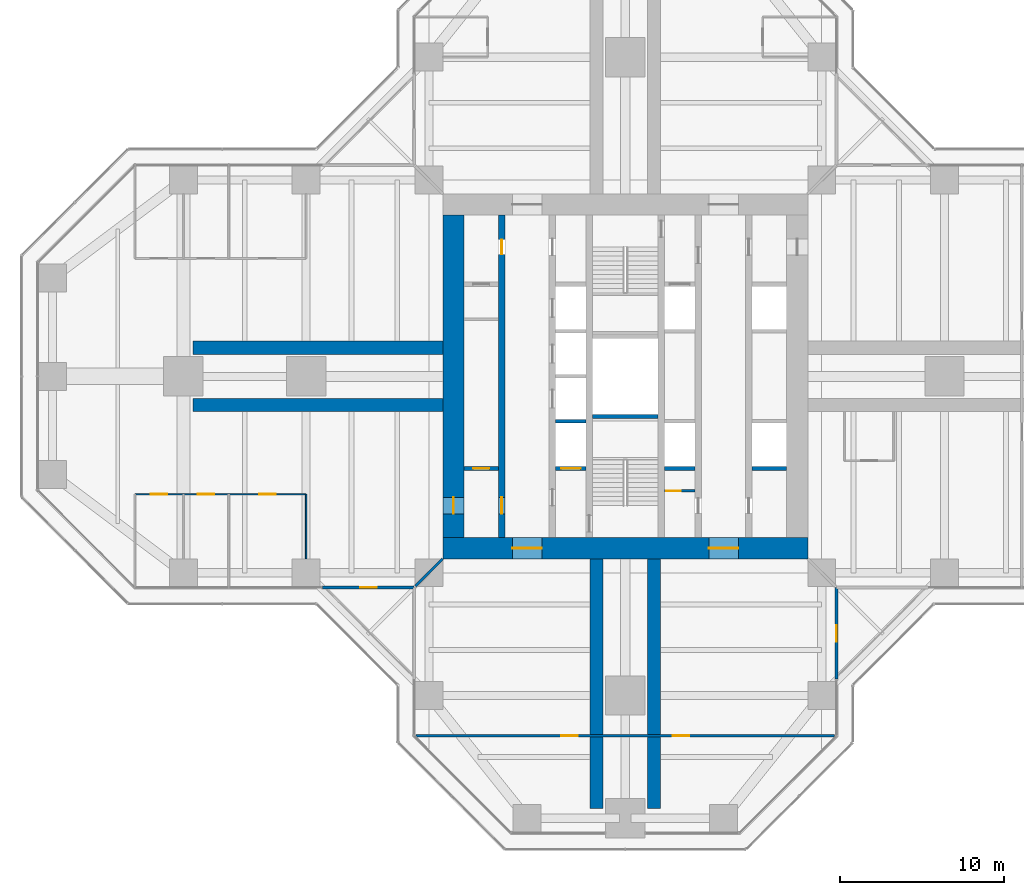
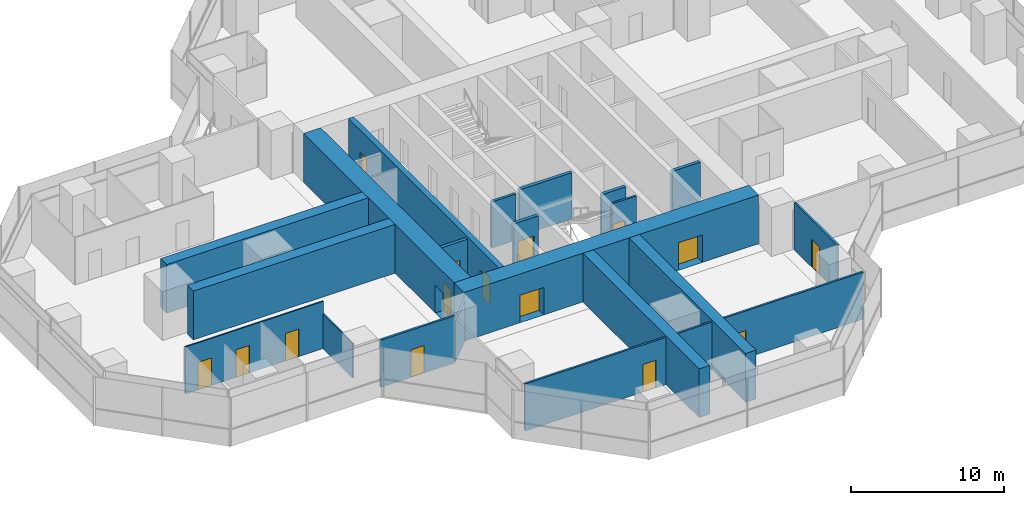
# One storey, part 15 of 20: 20 walls, 15 doors, 15 openings.
"""IFC4 building model written with IfcOpenShell, lengths in metres."""

from ifc_helpers import new_model, si_unit, direction, frame, frame_2d, origin, place, context, subcontext, project, spatial, rectangle, extrude, material, layer, layer_set, type_object, element, fill, save


model = new_model("IFC4")

# Units and contexts
model_context = context("Model", 3, precision=1e-05, world=origin(), true_north=direction((0.0, 1.0)))
body_context = subcontext(model_context, "Body", "Model", "MODEL_VIEW")
ifc_project = project(units=[si_unit("LENGTHUNIT", "METRE"), si_unit("AREAUNIT", "SQUARE_METRE"), si_unit("VOLUMEUNIT", "CUBIC_METRE"), si_unit("PLANEANGLEUNIT", "RADIAN"), si_unit("MASSUNIT", "GRAM", prefix="KILO")], contexts=[model_context])

# Site, building, storey
site_placement = place(None, origin())
site = spatial("IfcSite", under=ifc_project, at=site_placement, CompositionType="ELEMENT")
building_placement = place(site_placement, origin())
building = spatial("IfcBuilding", under=site, at=building_placement, Name="Mizan Broadcast Tower", CompositionType="ELEMENT")
storey_placement = place(building_placement, frame((0.0, 0.0, 171.0)))
storey = spatial("IfcBuildingStorey", under=building, at=storey_placement, Name="L39", CompositionType="ELEMENT", Elevation=171.0)

# Wall, openings, doors
ifc_material_1 = material(Name="Concrete C70/85", Category="concrete")
ifc_layer_1 = layer(ifc_material_1, 0.39990234375)
ifc_layer_set_1 = layer_set([ifc_layer_1], Name="Concrete C70/85")
wall_type_1 = type_object("IfcWallType", Name="CORE INTERNAL WALL 400", PredefinedType="SHEAR", material=ifc_layer_set_1)
wall_1_placement = place(storey_placement, frame((-7.550048828125, -9.85009765625, 0.0), z_axis=(0.0, 0.0, 1.0), x_axis=(0.0, 1.0, 0.0)))
wall_1 = element("IfcWall", 1, at=wall_1_placement, inside=storey, type_object=wall_type_1, Name="Core wall CORE/XW1", PredefinedType="SHEAR", context=body_context, shape_type="SweptSolid", body=[
    extrude(rectangle(XDim=19.7001953125, YDim=0.39990234375, at=frame_2d((9.85009765625, 0.0))), origin(), (0.0, 0.0, 1.0), 3.89990234375),
])
opening_1_placement = place(wall_1_placement, frame((1.449951171875, 0.0, 0.0)))
opening_1 = element("IfcOpeningElement", 2, at=opening_1_placement, cuts=wall_1, Name="Opening D10F", PredefinedType="OPENING", context=body_context, shape_type="SweptSolid", body=[
    extrude(rectangle(XDim=1.0, YDim=2.199951171875, at=frame_2d((0.5, 1.10009765625))), frame((0.0, 0.2099609375, 0.0), z_axis=(0.0, -1.0, 0.0), x_axis=(1.0, 0.0, 0.0)), (0.0, 0.0, 1.0), 0.419921875),
])
opening_2_placement = place(wall_1_placement, frame((17.300048828125, 0.0, 0.0)))
opening_2 = element("IfcOpeningElement", 3, at=opening_2_placement, cuts=wall_1, Name="Opening D09", PredefinedType="OPENING", context=body_context, shape_type="SweptSolid", body=[
    extrude(rectangle(XDim=0.89990234375, YDim=2.10009765625, at=frame_2d((0.449951171875, 1.050048828125))), frame((0.0, 0.2099609375, 0.0), z_axis=(0.0, -1.0, 0.0), x_axis=(1.0, 0.0, 0.0)), (0.0, 0.0, 1.0), 0.419921875),
])
ifc_material_2 = material(Name="Steel door leaf in steel frame", Category="steel")
door_type_1 = type_object("IfcDoorType", Name="FIRE DOOR 1000 FD90", OperationType="SINGLE_SWING_LEFT", PredefinedType="DOOR", material=ifc_material_2)
door_1_placement = place(opening_1_placement, origin())
door_1 = element("IfcDoor", 4, at=door_1_placement, inside=storey, type_object=door_type_1, Name="West core passage door", OperationType="SINGLE_SWING_LEFT", OverallHeight=2.199951171875, OverallWidth=1.0, PredefinedType="DOOR", context=body_context, shape_type="SweptSolid", body=[
    extrude(rectangle(XDim=1.0, YDim=2.199951171875, at=frame_2d((0.5, 1.10009765625))), frame((0.0, 0.02490234375, 0.0), z_axis=(0.0, -1.0, 0.0), x_axis=(1.0, 0.0, 0.0)), (0.0, 0.0, 1.0), 0.050048828125),
])
fill(opening_1, door_1)
ifc_material_3 = material(Name="Timber door leaf in aluminium frame", Category="wood")
door_type_2 = type_object("IfcDoorType", Name="TOILET DOOR 900", OperationType="SINGLE_SWING_LEFT", PredefinedType="DOOR", material=ifc_material_3)
door_2_placement = place(opening_2_placement, origin())
door_2 = element("IfcDoor", 5, at=door_2_placement, inside=storey, type_object=door_type_2, Name="Male WC door", OperationType="SINGLE_SWING_RIGHT", OverallHeight=2.10009765625, OverallWidth=0.89990234375, PredefinedType="DOOR", context=body_context, shape_type="SweptSolid", body=[
    extrude(rectangle(XDim=0.89990234375, YDim=2.10009765625, at=frame_2d((0.449951171875, 1.050048828125))), frame((0.0, 0.02490234375, 0.0), z_axis=(0.0, -1.0, 0.0), x_axis=(1.0, 0.0, 0.0)), (0.0, 0.0, 1.0), 0.050048828125),
])
fill(opening_2, door_2)

# Wall, opening, door
ifc_material_4 = material(Name="Concrete blockwork", Category="masonry")
ifc_layer_2 = layer(ifc_material_4, 0.14990234375)
ifc_layer_set_2 = layer_set([ifc_layer_2], Name="Concrete blockwork")
wall_type_2 = type_object("IfcWallType", Name="CORE PARTITION 150", PredefinedType="SOLIDWALL", material=ifc_layer_set_2)
wall_2_placement = place(storey_placement, frame((2.39990234375, -7.0, 0.0), z_axis=(0.0, 0.0, 1.0), x_axis=(1.0, 0.0, 0.0)))
wall_2 = element("IfcWall", 6, at=wall_2_placement, inside=storey, type_object=wall_type_2, Name="Core partition CORE/XPC", PredefinedType="SOLIDWALL", context=body_context, shape_type="SweptSolid", body=[
    extrude(rectangle(XDim=1.85009765625, YDim=0.14990234375, at=frame_2d((0.925048828125, 0.0))), origin(), (0.0, 0.0, 1.0), 3.77001953125),
])
opening_3_placement = place(wall_2_placement, frame((0.10009765625, 0.0, 0.0)))
opening_3 = element("IfcOpeningElement", 7, at=opening_3_placement, cuts=wall_2, Name="Opening D09F", PredefinedType="OPENING", context=body_context, shape_type="SweptSolid", body=[
    extrude(rectangle(XDim=0.89990234375, YDim=2.10009765625, at=frame_2d((0.449951171875, 1.050048828125))), frame((0.0, 0.0849609375, 0.0), z_axis=(0.0, -1.0, 0.0), x_axis=(1.0, 0.0, 0.0)), (0.0, 0.0, 1.0), 0.169921875),
])
ifc_material_5 = material(Name="Steel door leaf in steel frame", Category="steel")
door_type_3 = type_object("IfcDoorType", Name="CORE ROOM DOOR 900 FD90", OperationType="SINGLE_SWING_LEFT", PredefinedType="DOOR", material=ifc_material_5)
door_3_placement = place(opening_3_placement, origin())
door_3 = element("IfcDoor", 8, at=door_3_placement, inside=storey, type_object=door_type_3, Name="Waste store door", OperationType="SINGLE_SWING_LEFT", OverallHeight=2.10009765625, OverallWidth=0.89990234375, PredefinedType="DOOR", context=body_context, shape_type="SweptSolid", body=[
    extrude(rectangle(XDim=0.89990234375, YDim=2.10009765625, at=frame_2d((0.449951171875, 1.050048828125))), frame((0.0, 0.02490234375, 0.0), z_axis=(0.0, -1.0, 0.0), x_axis=(1.0, 0.0, 0.0)), (0.0, 0.0, 1.0), 0.050048828125),
])
fill(opening_3, door_3)

# Wall, openings, doors
ifc_material_6 = material(Name="Concrete C70/85", Category="concrete")
ifc_layer_3 = layer(ifc_material_6, 1.300048828125)
ifc_layer_set_3 = layer_set([ifc_layer_3], Name="Concrete C70/85")
wall_type_3 = type_object("IfcWallType", Name="CORE WALL 1300", PredefinedType="SHEAR", material=ifc_layer_set_3)
wall_3_placement = place(storey_placement, frame((11.14990234375, -10.5, 0.0), z_axis=(0.0, 0.0, 1.0), x_axis=(-1.0, 0.0, 0.0)))
wall_3 = element("IfcWall", 9, at=wall_3_placement, inside=storey, type_object=wall_type_3, Name="Core wall S L39", PredefinedType="SHEAR", context=body_context, shape_type="SweptSolid", body=[
    extrude(rectangle(XDim=22.2998046875, YDim=1.300048828125, at=frame_2d((11.14990234375, 0.0))), origin(), (0.0, 0.0, 1.0), 3.89990234375),
])
opening_4_placement = place(wall_3_placement, frame((16.25, 0.0, 0.0)))
opening_4 = element("IfcOpeningElement", 10, at=opening_4_placement, cuts=wall_3, Name="Opening D18F", PredefinedType="OPENING", context=body_context, shape_type="SweptSolid", body=[
    extrude(rectangle(XDim=1.800048828125, YDim=2.199951171875, at=frame_2d((0.89990234375, 1.10009765625))), frame((0.0, 0.659912109375, 0.0), z_axis=(0.0, -1.0, 0.0), x_axis=(1.0, 0.0, 0.0)), (0.0, 0.0, 1.0), 1.320068359375),
])
opening_5_placement = place(wall_3_placement, frame((4.25, 0.0, 0.0)))
opening_5 = element("IfcOpeningElement", 11, at=opening_5_placement, cuts=wall_3, Name="Opening D18F", PredefinedType="OPENING", context=body_context, shape_type="SweptSolid", body=[
    extrude(rectangle(XDim=1.800048828125, YDim=2.199951171875, at=frame_2d((0.89990234375, 1.10009765625))), frame((0.0, 0.659912109375, 0.0), z_axis=(0.0, -1.0, 0.0), x_axis=(1.0, 0.0, 0.0)), (0.0, 0.0, 1.0), 1.320068359375),
])
ifc_material_7 = material(Name="Steel door leaf in steel frame", Category="steel")
door_type_4 = type_object("IfcDoorType", Name="LOBBY DOUBLE DOOR 1800 FD90", OperationType="DOUBLE_DOOR_DOUBLE_SWING", PredefinedType="DOOR", material=ifc_material_7)
door_4_placement = place(opening_4_placement, origin())
door_4 = element("IfcDoor", 12, at=door_4_placement, inside=storey, type_object=door_type_4, Name="West lift lobby south door", OperationType="DOUBLE_DOOR_DOUBLE_SWING", OverallHeight=2.199951171875, OverallWidth=1.800048828125, PredefinedType="DOOR", context=body_context, shape_type="SweptSolid", body=[
    extrude(rectangle(XDim=1.800048828125, YDim=2.199951171875, at=frame_2d((0.89990234375, 1.10009765625))), frame((0.0, 0.02490234375, 0.0), z_axis=(0.0, -1.0, 0.0), x_axis=(1.0, 0.0, 0.0)), (0.0, 0.0, 1.0), 0.050048828125),
])
fill(opening_4, door_4)
door_5_placement = place(opening_5_placement, origin())
door_5 = element("IfcDoor", 13, at=door_5_placement, inside=storey, type_object=door_type_4, Name="East lift lobby south door", OperationType="DOUBLE_DOOR_DOUBLE_SWING", OverallHeight=2.199951171875, OverallWidth=1.800048828125, PredefinedType="DOOR", context=body_context, shape_type="SweptSolid", body=[
    extrude(rectangle(XDim=1.800048828125, YDim=2.199951171875, at=frame_2d((0.89990234375, 1.10009765625))), frame((0.0, 0.02490234375, 0.0), z_axis=(0.0, -1.0, 0.0), x_axis=(1.0, 0.0, 0.0)), (0.0, 0.0, 1.0), 0.050048828125),
])
fill(opening_5, door_5)

# Wall, opening, door
wall_4_placement = place(storey_placement, frame((-10.5, 9.85009765625, 0.0), z_axis=(0.0, 0.0, 1.0), x_axis=(0.0, -1.0, 0.0)))
wall_4 = element("IfcWall", 14, at=wall_4_placement, inside=storey, type_object=wall_type_3, Name="Core wall W L39", PredefinedType="SHEAR", context=body_context, shape_type="SweptSolid", body=[
    extrude(rectangle(XDim=19.7001953125, YDim=1.300048828125, at=frame_2d((9.85009765625, 0.0))), origin(), (0.0, 0.0, 1.0), 3.89990234375),
])
opening_6_placement = place(wall_4_placement, frame((17.25, 0.0, 0.0)))
opening_6 = element("IfcOpeningElement", 15, at=opening_6_placement, cuts=wall_4, Name="Opening D10F", PredefinedType="OPENING", context=body_context, shape_type="SweptSolid", body=[
    extrude(rectangle(XDim=1.0, YDim=2.199951171875, at=frame_2d((0.5, 1.10009765625))), frame((0.0, 0.659912109375, 0.0), z_axis=(0.0, -1.0, 0.0), x_axis=(1.0, 0.0, 0.0)), (0.0, 0.0, 1.0), 1.320068359375),
])
door_6_placement = place(opening_6_placement, origin())
door_6 = element("IfcDoor", 16, at=door_6_placement, inside=storey, type_object=door_type_1, Name="West core passage arm door", OperationType="SINGLE_SWING_RIGHT", OverallHeight=2.199951171875, OverallWidth=1.0, PredefinedType="DOOR", context=body_context, shape_type="SweptSolid", body=[
    extrude(rectangle(XDim=1.0, YDim=2.199951171875, at=frame_2d((0.5, 1.10009765625))), frame((0.0, 0.02490234375, 0.0), z_axis=(0.0, -1.0, 0.0), x_axis=(1.0, 0.0, 0.0)), (0.0, 0.0, 1.0), 0.050048828125),
])
fill(opening_6, door_6)

ifc_material_8 = material(Name="Aluminium framed glazed screen", Category="aluminium")
ifc_layer_4 = layer(ifc_material_8, 0.159912109375)
ifc_layer_set_4 = layer_set([ifc_layer_4], Name="Aluminium framed glazed screen")
wall_type_4 = type_object("IfcWallType", Name="GLAZED SCREEN WALL 160", PredefinedType="SOLIDWALL", material=ifc_layer_set_4)
wall_5_placement = place(storey_placement, frame((-18.5, -12.89990234375, 0.0), z_axis=(0.0, 0.0, 1.0), x_axis=(1.0, 0.0, 0.0)))
wall_5 = element("IfcWall", 17, at=wall_5_placement, inside=storey, type_object=wall_type_4, Name="Winter garden screen L39 W", PredefinedType="SOLIDWALL", context=body_context, shape_type="SweptSolid", body=[
    extrude(rectangle(XDim=5.60009765625, YDim=0.159912109375, at=frame_2d((2.800048828125, 0.0))), origin(), (0.0, 0.0, 1.0), 3.77001953125),
])
opening_7_placement = place(wall_5_placement, frame((2.300048828125, 0.0, 0.0)))
opening_7 = element("IfcOpeningElement", 18, at=opening_7_placement, cuts=wall_5, Name="Opening WGD", PredefinedType="OPENING", context=body_context, shape_type="SweptSolid", body=[
    extrude(rectangle(XDim=1.0, YDim=2.199951171875, at=frame_2d((0.5, 1.10009765625))), frame((0.0, 0.08984375, 0.0), z_axis=(0.0, -1.0, 0.0), x_axis=(1.0, 0.0, 0.0)), (0.0, 0.0, 1.0), 0.179931640625),
])
ifc_material_9 = material(Name="Aluminium framed glazed door", Category="aluminium")
door_type_5 = type_object("IfcDoorType", Name="WINTER GARDEN DOOR 1000 GLAZED", OperationType="SINGLE_SWING_LEFT", PredefinedType="DOOR", material=ifc_material_9)
door_7_placement = place(opening_7_placement, origin())
door_7 = element("IfcDoor", 19, at=door_7_placement, inside=storey, type_object=door_type_5, Name="Winter garden door L39 W", OperationType="SINGLE_SWING_RIGHT", OverallHeight=2.199951171875, OverallWidth=1.0, PredefinedType="DOOR", context=body_context, shape_type="SweptSolid", body=[
    extrude(rectangle(XDim=1.0, YDim=2.199951171875, at=frame_2d((0.5, 1.10009765625))), frame((0.0, 0.02490234375, 0.0), z_axis=(0.0, -1.0, 0.0), x_axis=(1.0, 0.0, 0.0)), (0.0, 0.0, 1.0), 0.050048828125),
])
fill(opening_7, door_7)

wall_6_placement = place(storey_placement, frame((12.89990234375, -18.5, 0.0), z_axis=(0.0, 0.0, 1.0), x_axis=(0.0, 1.0, 0.0)))
wall_6 = element("IfcWall", 20, at=wall_6_placement, inside=storey, type_object=wall_type_4, Name="Winter garden screen L39 S", PredefinedType="SOLIDWALL", context=body_context, shape_type="SweptSolid", body=[
    extrude(rectangle(XDim=5.60009765625, YDim=0.159912109375, at=frame_2d((2.800048828125, 0.0))), origin(), (0.0, 0.0, 1.0), 3.77001953125),
])
opening_8_placement = place(wall_6_placement, frame((2.300048828125, 0.0, 0.0)))
opening_8 = element("IfcOpeningElement", 21, at=opening_8_placement, cuts=wall_6, Name="Opening WGD", PredefinedType="OPENING", context=body_context, shape_type="SweptSolid", body=[
    extrude(rectangle(XDim=1.0, YDim=2.199951171875, at=frame_2d((0.5, 1.10009765625))), frame((0.0, 0.08984375, 0.0), z_axis=(0.0, -1.0, 0.0), x_axis=(1.0, 0.0, 0.0)), (0.0, 0.0, 1.0), 0.179931640625),
])
door_8_placement = place(opening_8_placement, origin())
door_8 = element("IfcDoor", 22, at=door_8_placement, inside=storey, type_object=door_type_5, Name="Winter garden door L39 S", OperationType="SINGLE_SWING_RIGHT", OverallHeight=2.199951171875, OverallWidth=1.0, PredefinedType="DOOR", context=body_context, shape_type="SweptSolid", body=[
    extrude(rectangle(XDim=1.0, YDim=2.199951171875, at=frame_2d((0.5, 1.10009765625))), frame((0.0, 0.02490234375, 0.0), z_axis=(0.0, -1.0, 0.0), x_axis=(1.0, 0.0, 0.0)), (0.0, 0.0, 1.0), 0.050048828125),
])
fill(opening_8, door_8)

# Wall
ifc_material_10 = material(Name="Concrete blockwork", Category="masonry")
ifc_layer_5 = layer(ifc_material_10, 0.199951171875)
ifc_layer_set_5 = layer_set([ifc_layer_5], Name="Concrete blockwork")
wall_type_5 = type_object("IfcWallType", Name="LIFT SHAFT WALL 200", PredefinedType="SOLIDWALL", material=ifc_layer_set_5)
wall_7_placement = place(storey_placement, frame((-4.25, -2.75, 0.0), z_axis=(0.0, 0.0, 1.0), x_axis=(1.0, 0.0, 0.0)))
element("IfcWall", 23, at=wall_7_placement, inside=storey, type_object=wall_type_5, Name="Lift shaft wall CORE/SW2-1", PredefinedType="SOLIDWALL", context=body_context, shape_type="SweptSolid", body=[
    extrude(rectangle(XDim=1.85009765625, YDim=0.199951171875, at=frame_2d((0.925048828125, 0.0))), origin(), (0.0, 0.0, 1.0), 3.699951171875),
])

# Wall, opening, door
ifc_material_11 = material(Name="Concrete blockwork", Category="masonry")
ifc_layer_6 = layer(ifc_material_11, 0.25)
ifc_layer_set_6 = layer_set([ifc_layer_6], Name="Concrete blockwork")
wall_type_6 = type_object("IfcWallType", Name="LOBBY ENCLOSURE WALL 250", PredefinedType="SOLIDWALL", material=ifc_layer_set_6)
wall_8_placement = place(storey_placement, frame((-9.85009765625, -5.625, 0.0), z_axis=(0.0, 0.0, 1.0), x_axis=(1.0, 0.0, 0.0)))
wall_8 = element("IfcWall", 24, at=wall_8_placement, inside=storey, type_object=wall_type_6, Name="Lobby enclosure wall CORE/BW1S", PredefinedType="SOLIDWALL", context=body_context, shape_type="SweptSolid", body=[
    extrude(rectangle(XDim=2.10009765625, YDim=0.25, at=frame_2d((1.050048828125, 0.0))), origin(), (0.0, 0.0, 1.0), 3.699951171875),
])
opening_9_placement = place(wall_8_placement, frame((0.550048828125, 0.0, 0.0)))
opening_9 = element("IfcOpeningElement", 25, at=opening_9_placement, cuts=wall_8, Name="Opening D10F", PredefinedType="OPENING", context=body_context, shape_type="SweptSolid", body=[
    extrude(rectangle(XDim=1.0, YDim=2.199951171875, at=frame_2d((0.5, 1.10009765625))), frame((0.0, 0.135009765625, 0.0), z_axis=(0.0, -1.0, 0.0), x_axis=(1.0, 0.0, 0.0)), (0.0, 0.0, 1.0), 0.27001953125),
])
door_9_placement = place(opening_9_placement, origin())
door_9 = element("IfcDoor", 26, at=door_9_placement, inside=storey, type_object=door_type_1, Name="Staff pantry door", OperationType="SINGLE_SWING_RIGHT", OverallHeight=2.199951171875, OverallWidth=1.0, PredefinedType="DOOR", context=body_context, shape_type="SweptSolid", body=[
    extrude(rectangle(XDim=1.0, YDim=2.199951171875, at=frame_2d((0.5, 1.10009765625))), frame((0.0, 0.02490234375, 0.0), z_axis=(0.0, -1.0, 0.0), x_axis=(1.0, 0.0, 0.0)), (0.0, 0.0, 1.0), 0.050048828125),
])
fill(opening_9, door_9)

wall_9_placement = place(storey_placement, frame((-4.25, -5.625, 0.0), z_axis=(0.0, 0.0, 1.0), x_axis=(1.0, 0.0, 0.0)))
wall_9 = element("IfcWall", 27, at=wall_9_placement, inside=storey, type_object=wall_type_6, Name="Lobby enclosure wall CORE/BW2S", PredefinedType="SOLIDWALL", context=body_context, shape_type="SweptSolid", body=[
    extrude(rectangle(XDim=1.85009765625, YDim=0.25, at=frame_2d((0.925048828125, 0.0))), origin(), (0.0, 0.0, 1.0), 3.699951171875),
])
opening_10_placement = place(wall_9_placement, frame((0.324951171875, 0.0, 0.0)))
opening_10 = element("IfcOpeningElement", 28, at=opening_10_placement, cuts=wall_9, Name="Opening LDF", PredefinedType="OPENING", context=body_context, shape_type="SweptSolid", body=[
    extrude(rectangle(XDim=1.199951171875, YDim=2.199951171875, at=frame_2d((0.60009765625, 1.10009765625))), frame((0.0, 0.135009765625, 0.0), z_axis=(0.0, -1.0, 0.0), x_axis=(1.0, 0.0, 0.0)), (0.0, 0.0, 1.0), 0.27001953125),
])
ifc_material_12 = material(Name="Steel door leaf in steel frame", Category="steel")
door_type_6 = type_object("IfcDoorType", Name="FIREFIGHTING LIFT LANDING DOOR 1200", OperationType="SLIDING_TO_LEFT", PredefinedType="DOOR", material=ifc_material_12)
door_10_placement = place(opening_10_placement, origin())
door_10 = element("IfcDoor", 29, at=door_10_placement, inside=storey, type_object=door_type_6, Name="Landing door FF1", OperationType="SLIDING_TO_LEFT", OverallHeight=2.199951171875, OverallWidth=1.199951171875, PredefinedType="DOOR", context=body_context, shape_type="SweptSolid", body=[
    extrude(rectangle(XDim=1.199951171875, YDim=2.199951171875, at=frame_2d((0.60009765625, 1.10009765625))), frame((0.0, 0.02490234375, 0.0), z_axis=(0.0, -1.0, 0.0), x_axis=(1.0, 0.0, 0.0)), (0.0, 0.0, 1.0), 0.050048828125),
])
fill(opening_10, door_10)

# Walls
wall_10_placement = place(storey_placement, frame((2.39990234375, -5.625, 0.0), z_axis=(0.0, 0.0, 1.0), x_axis=(1.0, 0.0, 0.0)))
element("IfcWall", 30, at=wall_10_placement, inside=storey, type_object=wall_type_6, Name="Lobby enclosure wall CORE/BE2S", PredefinedType="SOLIDWALL", context=body_context, shape_type="SweptSolid", body=[
    extrude(rectangle(XDim=1.85009765625, YDim=0.25, at=frame_2d((0.925048828125, 0.0))), origin(), (0.0, 0.0, 1.0), 3.699951171875),
])
wall_11_placement = place(storey_placement, frame((7.75, -5.625, 0.0), z_axis=(0.0, 0.0, 1.0), x_axis=(1.0, 0.0, 0.0)))
element("IfcWall", 31, at=wall_11_placement, inside=storey, type_object=wall_type_6, Name="Lobby enclosure wall CORE/BE1S", PredefinedType="SOLIDWALL", context=body_context, shape_type="SweptSolid", body=[
    extrude(rectangle(XDim=2.10009765625, YDim=0.25, at=frame_2d((1.050048828125, 0.0))), origin(), (0.0, 0.0, 1.0), 3.699951171875),
])
wall_12_placement = place(storey_placement, frame((-2.0, -2.449951171875, 0.0), z_axis=(0.0, 0.0, 1.0), x_axis=(1.0, 0.0, 0.0)))
element("IfcWall", 32, at=wall_12_placement, inside=storey, type_object=wall_type_6, Name="Lobby enclosure wall CORE/STA", PredefinedType="SOLIDWALL", context=body_context, shape_type="SweptSolid", body=[
    extrude(rectangle(XDim=4.0, YDim=0.25, at=frame_2d((2.0, 0.0))), origin(), (0.0, 0.0, 1.0), 3.699951171875),
])

# Wall, openings, doors
ifc_material_13 = material(Name="Gypsum board on steel studs", Category="steel")
ifc_layer_7 = layer(ifc_material_13, 0.14990234375)
ifc_layer_set_7 = layer_set([ifc_layer_7], Name="Gypsum board on steel studs")
wall_type_7 = type_object("IfcWallType", Name="PARTITION 150", PredefinedType="PARTITIONING", material=ifc_layer_set_7)
wall_13_placement = place(storey_placement, frame((-12.786376953125, -21.958984375, 0.0), z_axis=(0.0, 0.0, 1.0), x_axis=(1.0, 0.0, 0.0)))
wall_13 = element("IfcWall", 33, at=wall_13_placement, inside=storey, type_object=wall_type_7, Name="Partition PT/SX1", PredefinedType="PARTITIONING", context=body_context, shape_type="SweptSolid", body=[
    extrude(rectangle(XDim=25.57275390625, YDim=0.14990234375, at=frame_2d((12.786376953125, 0.0))), origin(), (0.0, 0.0, 1.0), 3.77001953125),
])
opening_11_placement = place(wall_13_placement, frame((15.6865234375, 0.0, 0.0)))
opening_11 = element("IfcOpeningElement", 34, at=opening_11_placement, cuts=wall_13, Name="Opening D10", PredefinedType="OPENING", context=body_context, shape_type="SweptSolid", body=[
    extrude(rectangle(XDim=1.0, YDim=2.199951171875, at=frame_2d((0.5, 1.10009765625))), frame((0.0, 0.0849609375, 0.0), z_axis=(0.0, -1.0, 0.0), x_axis=(1.0, 0.0, 0.0)), (0.0, 0.0, 1.0), 0.169921875),
])
opening_12_placement = place(wall_13_placement, frame((8.886474609375, 0.0, 0.0)))
opening_12 = element("IfcOpeningElement", 35, at=opening_12_placement, cuts=wall_13, Name="Opening D10", PredefinedType="OPENING", context=body_context, shape_type="SweptSolid", body=[
    extrude(rectangle(XDim=1.0, YDim=2.199951171875, at=frame_2d((0.5, 1.10009765625))), frame((0.0, 0.0849609375, 0.0), z_axis=(0.0, -1.0, 0.0), x_axis=(1.0, 0.0, 0.0)), (0.0, 0.0, 1.0), 0.169921875),
])
ifc_material_14 = material(Name="Timber door leaf in aluminium frame", Category="wood")
door_type_7 = type_object("IfcDoorType", Name="ROOM DOOR 1000", OperationType="SINGLE_SWING_LEFT", PredefinedType="DOOR", material=ifc_material_14)
door_11_placement = place(opening_11_placement, origin())
door_11 = element("IfcDoor", 36, at=door_11_placement, inside=storey, type_object=door_type_7, Name="Director's office door", OperationType="SINGLE_SWING_RIGHT", OverallHeight=2.199951171875, OverallWidth=1.0, PredefinedType="DOOR", context=body_context, shape_type="SweptSolid", body=[
    extrude(rectangle(XDim=1.0, YDim=2.199951171875, at=frame_2d((0.5, 1.10009765625))), frame((0.0, 0.02490234375, 0.0), z_axis=(0.0, -1.0, 0.0), x_axis=(1.0, 0.0, 0.0)), (0.0, 0.0, 1.0), 0.050048828125),
])
fill(opening_11, door_11)
door_12_placement = place(opening_12_placement, origin())
door_12 = element("IfcDoor", 37, at=door_12_placement, inside=storey, type_object=door_type_7, Name="Director's office door", OperationType="SINGLE_SWING_LEFT", OverallHeight=2.199951171875, OverallWidth=1.0, PredefinedType="DOOR", context=body_context, shape_type="SweptSolid", body=[
    extrude(rectangle(XDim=1.0, YDim=2.199951171875, at=frame_2d((0.5, 1.10009765625))), frame((0.0, 0.02490234375, 0.0), z_axis=(0.0, -1.0, 0.0), x_axis=(1.0, 0.0, 0.0)), (0.0, 0.0, 1.0), 0.050048828125),
])
fill(opening_12, door_12)

# Wall
wall_14_placement = place(storey_placement, frame((-11.14990234375, -11.14990234375, 0.0), z_axis=(0.0, 0.0, 1.0), x_axis=(-0.707106781187, -0.707106781187, 0.0)))
element("IfcWall", 38, at=wall_14_placement, inside=storey, type_object=wall_type_7, Name="Partition PT/DGWS", PredefinedType="PARTITIONING", context=body_context, shape_type="SweptSolid", body=[
    extrude(rectangle(XDim=2.362060546875, YDim=0.14990234375, at=frame_2d((1.18115234375, 0.0))), origin(), (0.0, 0.0, 1.0), 3.219970703125),
])

# Wall, openings, doors
ifc_material_15 = material(Name="Glazed aluminium partition on aluminium track", Category="aluminium")
ifc_layer_8 = layer(ifc_material_15, 0.10009765625)
ifc_layer_set_8 = layer_set([ifc_layer_8], Name="Glazed aluminium partition on aluminium track")
wall_type_8 = type_object("IfcWallType", Name="PARTITION GLAZED OFFICE FRONT 100", PredefinedType="PARTITIONING", material=ifc_layer_set_8)
wall_15_placement = place(storey_placement, frame((-19.5, -7.199951171875, 0.0), z_axis=(0.0, 0.0, 1.0), x_axis=(-1.0, 0.0, 0.0)))
wall_15 = element("IfcWall", 39, at=wall_15_placement, inside=storey, type_object=wall_type_8, Name="Glazed office front PT/WCP0", PredefinedType="PARTITIONING", context=body_context, shape_type="SweptSolid", body=[
    extrude(rectangle(XDim=10.458984375, YDim=0.10009765625, at=frame_2d((5.2294921875, 0.0))), origin(), (0.0, 0.0, 1.0), 3.77001953125),
])
opening_13_placement = place(wall_15_placement, frame((1.864501953125, 0.0, 0.0)))
opening_13 = element("IfcOpeningElement", 40, at=opening_13_placement, cuts=wall_15, Name="Opening D10O", PredefinedType="OPENING", context=body_context, shape_type="SweptSolid", body=[
    extrude(rectangle(XDim=1.0, YDim=2.199951171875, at=frame_2d((0.5, 1.10009765625))), frame((0.0, 0.06005859375, 0.0), z_axis=(0.0, -1.0, 0.0), x_axis=(1.0, 0.0, 0.0)), (0.0, 0.0, 1.0), 0.1201171875),
])
opening_14_placement = place(wall_15_placement, frame((5.614501953125, 0.0, 0.0)))
opening_14 = element("IfcOpeningElement", 41, at=opening_14_placement, cuts=wall_15, Name="Opening D10O", PredefinedType="OPENING", context=body_context, shape_type="SweptSolid", body=[
    extrude(rectangle(XDim=1.0, YDim=2.199951171875, at=frame_2d((0.5, 1.10009765625))), frame((0.0, 0.06005859375, 0.0), z_axis=(0.0, -1.0, 0.0), x_axis=(1.0, 0.0, 0.0)), (0.0, 0.0, 1.0), 0.1201171875),
])
opening_15_placement = place(wall_15_placement, frame((8.4794921875, 0.0, 0.0)))
opening_15 = element("IfcOpeningElement", 42, at=opening_15_placement, cuts=wall_15, Name="Opening D10O", PredefinedType="OPENING", context=body_context, shape_type="SweptSolid", body=[
    extrude(rectangle(XDim=1.0, YDim=2.199951171875, at=frame_2d((0.5, 1.10009765625))), frame((0.0, 0.06005859375, 0.0), z_axis=(0.0, -1.0, 0.0), x_axis=(1.0, 0.0, 0.0)), (0.0, 0.0, 1.0), 0.1201171875),
])
ifc_material_16 = material(Name="Timber door leaf in aluminium frame", Category="wood")
door_type_8 = type_object("IfcDoorType", Name="OFFICE DOOR 1000 GLAZED", OperationType="SINGLE_SWING_LEFT", PredefinedType="DOOR", material=ifc_material_16)
door_13_placement = place(opening_13_placement, origin())
door_13 = element("IfcDoor", 43, at=door_13_placement, inside=storey, type_object=door_type_8, Name="Meeting room door", OperationType="SINGLE_SWING_LEFT", OverallHeight=2.199951171875, OverallWidth=1.0, PredefinedType="DOOR", context=body_context, shape_type="SweptSolid", body=[
    extrude(rectangle(XDim=1.0, YDim=2.199951171875, at=frame_2d((0.5, 1.10009765625))), frame((0.0, 0.02490234375, 0.0), z_axis=(0.0, -1.0, 0.0), x_axis=(1.0, 0.0, 0.0)), (0.0, 0.0, 1.0), 0.050048828125),
])
fill(opening_13, door_13)
door_14_placement = place(opening_14_placement, origin())
door_14 = element("IfcDoor", 44, at=door_14_placement, inside=storey, type_object=door_type_8, Name="Meeting room door", OperationType="SINGLE_SWING_RIGHT", OverallHeight=2.199951171875, OverallWidth=1.0, PredefinedType="DOOR", context=body_context, shape_type="SweptSolid", body=[
    extrude(rectangle(XDim=1.0, YDim=2.199951171875, at=frame_2d((0.5, 1.10009765625))), frame((0.0, 0.02490234375, 0.0), z_axis=(0.0, -1.0, 0.0), x_axis=(1.0, 0.0, 0.0)), (0.0, 0.0, 1.0), 0.050048828125),
])
fill(opening_14, door_14)
door_15_placement = place(opening_15_placement, origin())
door_15 = element("IfcDoor", 45, at=door_15_placement, inside=storey, type_object=door_type_8, Name="Meeting room door", OperationType="SINGLE_SWING_RIGHT", OverallHeight=2.199951171875, OverallWidth=1.0, PredefinedType="DOOR", context=body_context, shape_type="SweptSolid", body=[
    extrude(rectangle(XDim=1.0, YDim=2.199951171875, at=frame_2d((0.5, 1.10009765625))), frame((0.0, 0.02490234375, 0.0), z_axis=(0.0, -1.0, 0.0), x_axis=(1.0, 0.0, 0.0)), (0.0, 0.0, 1.0), 0.050048828125),
])
fill(opening_15, door_15)

# Walls
wall_16_placement = place(storey_placement, frame((-19.5, -7.199951171875, 0.0), z_axis=(0.0, 0.0, 1.0), x_axis=(0.0, -1.0, 0.0)))
element("IfcWall", 46, at=wall_16_placement, inside=storey, type_object=wall_type_8, Name="Glazed office front PT/WQP1950", PredefinedType="PARTITIONING", context=body_context, shape_type="SweptSolid", body=[
    extrude(rectangle(XDim=3.949951171875, YDim=0.10009765625, at=frame_2d((1.97509765625, 0.0))), origin(), (0.0, 0.0, 1.0), 2.77001953125),
])
ifc_material_17 = material(Name="Concrete C70/85", Category="concrete")
ifc_layer_9 = layer(ifc_material_17, 0.800048828125)
ifc_layer_set_9 = layer_set([ifc_layer_9], Name="Concrete C70/85")
wall_type_9 = type_object("IfcWallType", Name="SPINE WALL 800", PredefinedType="SHEAR", material=ifc_layer_set_9)
for number, where, z_axis, x_axis, name in (
    (47, (-11.14990234375, 1.75, 0.0), (0.0, 0.0, 1.0), (-1.0, 0.0, 0.0), "Spine wall WR L39"),
    (48, (-11.14990234375, -1.75, 0.0), (0.0, 0.0, 1.0), (-1.0, 0.0, 0.0), "Spine wall WL L39"),
    (49, (-1.75, -11.14990234375, 0.0), (0.0, 0.0, 1.0), (0.0, -1.0, 0.0), "Spine wall SR L39"),
    (50, (1.75, -11.14990234375, 0.0), (0.0, 0.0, 1.0), (0.0, -1.0, 0.0), "Spine wall SL L39"),
):
    element("IfcWall", number, at=place(storey_placement, frame(where, z_axis=z_axis, x_axis=x_axis)), inside=storey, type_object=wall_type_9, Name=name, PredefinedType="SHEAR", context=body_context, shape_type="SweptSolid", body=[
        extrude(rectangle(XDim=15.25, YDim=0.800048828125, at=frame_2d((7.625, 0.0))), origin(), (0.0, 0.0, 1.0), 3.89990234375),
    ])

save(model, "model.ifc")
